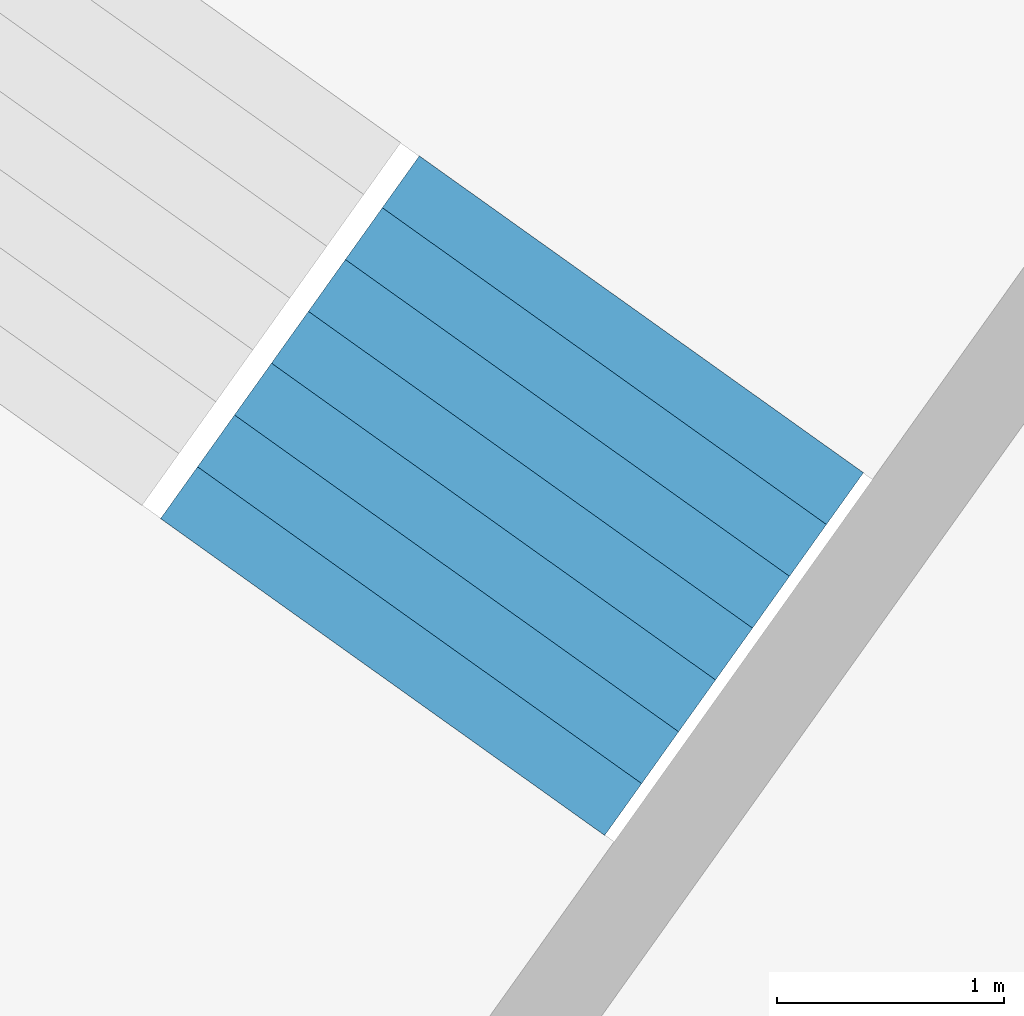
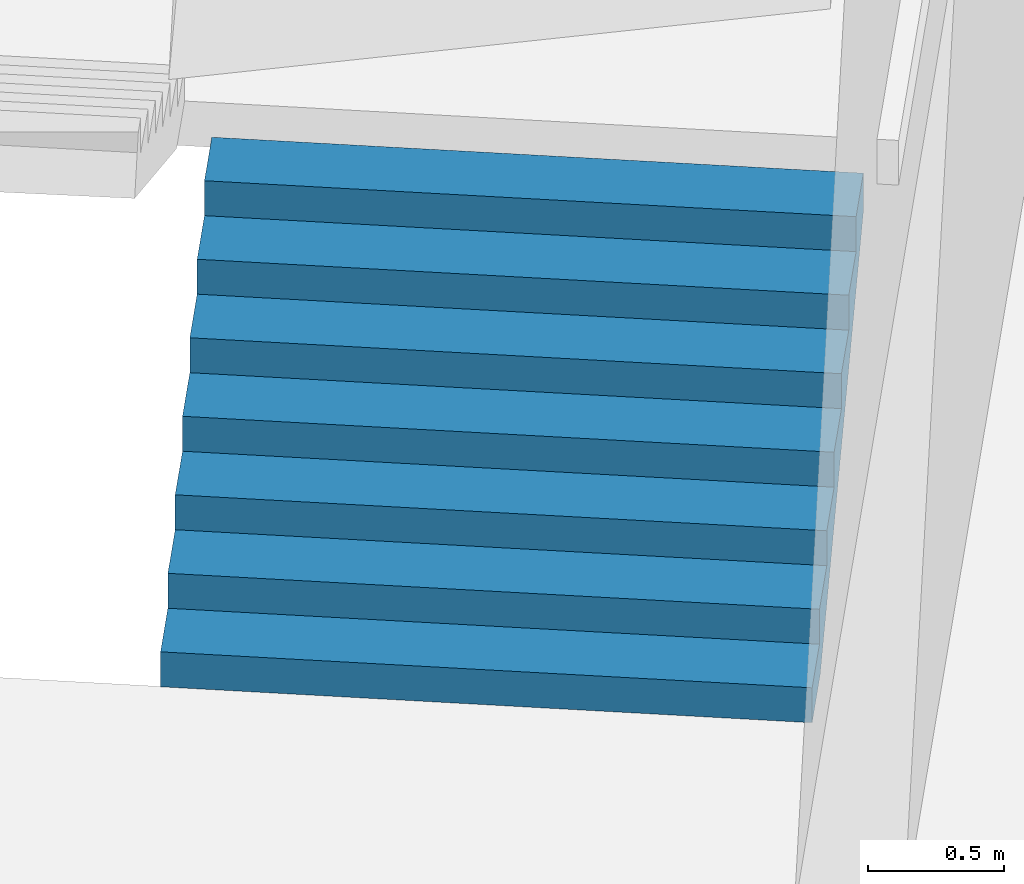
# One storey, part 71 of 73: 1 stair flight, 1 element without a shape of its own.
"""IFC4 building model written with IfcOpenShell, lengths in metres."""

from ifc_helpers import new_model, si_unit, direction, frame, origin, place, context, subcontext, project, spatial, triangles, material, type_object, element, aggregate, save


model = new_model("IFC4")

# Units and contexts
model_context = context("Model", 3, precision=1e-05, world=origin(), true_north=direction((0.0, 1.0)))
body_context = subcontext(model_context, "Body", "Model", "MODEL_VIEW")
ifc_project = project(units=[si_unit("LENGTHUNIT", "METRE"), si_unit("AREAUNIT", "SQUARE_METRE"), si_unit("VOLUMEUNIT", "CUBIC_METRE"), si_unit("PLANEANGLEUNIT", "RADIAN"), si_unit("MASSUNIT", "GRAM", prefix="KILO")], contexts=[model_context])

# Site, building, storey
site_placement = place(None, origin())
site = spatial("IfcSite", under=ifc_project, at=site_placement, CompositionType="ELEMENT")
building_placement = place(site_placement, origin())
building = spatial("IfcBuilding", under=site, at=building_placement, Name="Lantaw Convention Tower", CompositionType="ELEMENT")
storey_placement = place(building_placement, frame((0.0, 0.0, 22.0)))
storey = spatial("IfcBuildingStorey", under=building, at=storey_placement, Name="L03", CompositionType="ELEMENT", Elevation=22.0)

# Stair, stair flight
ifc_material = material(Name="Concrete C35/45", Category="concrete")
stair_type = type_object("IfcStairType", Name="Exit stair 2400 riser 156.25 in 4 flights", PredefinedType="HALF_TURN_STAIR", material=ifc_material)
stair_placement = place(storey_placement, origin())
stair = element("IfcStair", 1, at=stair_placement, inside=storey, type_object=stair_type, Name="Podium exit stair P4 L03", PredefinedType="HALF_TURN_STAIR")
stair_flight_type = type_object("IfcStairFlightType", Name="Stair flight 2400 riser 156.25", PredefinedType="STRAIGHT", material=ifc_material)
stair_flight_placement = place(storey_placement, frame((19.005615234375, 24.4921875, 0.0), z_axis=(0.0, 0.0, 1.0), x_axis=(0.580702955711, 0.814115518356, 0.0)))
stair_flight = element("IfcStairFlight", 2, at=stair_flight_placement, type_object=stair_flight_type, Name="P4 flight 1", NumberOfRisers=8, NumberOfTreads=7, PredefinedType="STRAIGHT", RiserHeight=0.15625, TreadLength=0.28, context=body_context, shape_type="Tessellation", body=[
    triangles([(0.0, 1.199951171875, 0.0), (0.0, 1.199951171875, 0.15625), (0.28, 1.199951171875, 0.0), (0.28, 1.199951171875, 0.15625), (0.28, 1.199951171875, 0.3125), (0.3076200632058044, 1.199951171875, 0.0), (0.3076200632058044, 1.199951171875, 0.3125), (0.56, 1.199951171875, 0.14083701830033238), (0.56, 1.199951171875, 0.3125), (0.56, 1.199951171875, 0.46875), (0.8400000000000001, 1.199951171875, 0.29708701830033235), (0.8400000000000001, 1.199951171875, 0.46875), (0.8400000000000001, 1.199951171875, 0.625), (1.12, 1.199951171875, 0.45333701830033235), (1.12, 1.199951171875, 0.625), (1.12, 1.199951171875, 0.78125), (1.4000000000000001, 1.199951171875, 0.6095870183003324), (1.4000000000000001, 1.199951171875, 0.78125), (1.4000000000000001, 1.199951171875, 0.9375), (1.6800000000000002, 1.199951171875, 0.7658370183003324), (1.6800000000000002, 1.199951171875, 0.9375), (1.6800000000000002, 1.199951171875, 1.09375), (1.9600000000000002, 1.199951171875, 0.9220870183003324), (1.9600000000000002, 1.199951171875, 1.09375), (0.0, -1.199951171875, 0.0), (0.0, -1.199951171875, 0.15625), (0.28, -1.199951171875, 0.0), (0.28, -1.199951171875, 0.15625), (0.28, -1.199951171875, 0.3125), (0.3076200632058044, -1.199951171875, 0.0), (0.3076200632058044, -1.199951171875, 0.3125), (0.56, -1.199951171875, 0.14083701830033238), (0.56, -1.199951171875, 0.3125), (0.56, -1.199951171875, 0.46875), (0.8400000000000001, -1.199951171875, 0.29708701830033235), (0.8400000000000001, -1.199951171875, 0.46875), (0.8400000000000001, -1.199951171875, 0.625), (1.12, -1.199951171875, 0.45333701830033235), (1.12, -1.199951171875, 0.625), (1.12, -1.199951171875, 0.78125), (1.4000000000000001, -1.199951171875, 0.6095870183003324), (1.4000000000000001, -1.199951171875, 0.78125), (1.4000000000000001, -1.199951171875, 0.9375), (1.6800000000000002, -1.199951171875, 0.7658370183003324), (1.6800000000000002, -1.199951171875, 0.9375), (1.6800000000000002, -1.199951171875, 1.09375), (1.9600000000000002, -1.199951171875, 0.9220870183003324), (1.9600000000000002, -1.199951171875, 1.09375), (0.0, 0.239990234375, 0.15625), (0.0, 0.239990234375, 0.0), (0.0, 0.1919921875, 0.15625), (0.0, 0.1919921875, 0.0), (0.0, 0.143994140625, 0.15625), (0.0, 0.143994140625, 0.0), (0.0, 0.09599609375, 0.15625), (0.0, 0.09599609375, 0.0), (0.0, 0.047998046875, 0.15625), (0.0, 0.047998046875, 0.0), (0.0, 0.0, 0.15625), (0.0, 0.0, 0.0), (0.0, -0.047998046875, 0.15625), (0.0, -0.047998046875, 0.0), (0.0, -0.09599609375, 0.15625), (0.0, -0.09599609375, 0.0), (0.0, -0.143994140625, 0.15625), (0.0, -0.143994140625, 0.0), (0.0, -0.1919921875, 0.15625), (0.0, -0.1919921875, 0.0), (0.0, -0.239990234375, 0.15625), (0.0, -0.239990234375, 0.0), (0.28, 0.239990234375, 0.3125), (0.28, 0.239990234375, 0.15625), (0.28, 0.1919921875, 0.3125), (0.28, 0.1919921875, 0.15625), (0.28, 0.143994140625, 0.3125), (0.28, 0.143994140625, 0.15625), (0.28, 0.09599609375, 0.3125), (0.28, 0.09599609375, 0.15625), (0.28, 0.047998046875, 0.3125), (0.28, 0.047998046875, 0.15625), (0.28, 0.0, 0.3125), (0.28, 0.0, 0.15625), (0.28, -0.047998046875, 0.3125), (0.28, -0.047998046875, 0.15625), (0.28, -0.09599609375, 0.3125), (0.28, -0.09599609375, 0.15625), (0.28, -0.143994140625, 0.3125), (0.28, -0.143994140625, 0.15625), (0.28, -0.1919921875, 0.3125), (0.28, -0.1919921875, 0.15625), (0.28, -0.239990234375, 0.3125), (0.28, -0.239990234375, 0.15625), (0.56, 0.239990234375, 0.46875), (0.56, 0.239990234375, 0.3125), (0.56, 0.1919921875, 0.46875), (0.56, 0.1919921875, 0.3125), (0.56, 0.143994140625, 0.46875), (0.56, 0.143994140625, 0.3125), (0.56, 0.09599609375, 0.46875), (0.56, 0.09599609375, 0.3125), (0.56, 0.047998046875, 0.46875), (0.56, 0.047998046875, 0.3125), (0.56, 0.0, 0.46875), (0.56, 0.0, 0.3125), (0.56, -0.047998046875, 0.46875), (0.56, -0.047998046875, 0.3125), (0.56, -0.09599609375, 0.46875), (0.56, -0.09599609375, 0.3125), (0.56, -0.143994140625, 0.46875), (0.56, -0.143994140625, 0.3125), (0.56, -0.1919921875, 0.46875), (0.56, -0.1919921875, 0.3125), (0.56, -0.239990234375, 0.46875), (0.56, -0.239990234375, 0.3125), (0.8400000000000001, 0.239990234375, 0.625), (0.8400000000000001, 0.239990234375, 0.46875), (0.8400000000000001, 0.1919921875, 0.625), (0.8400000000000001, 0.1919921875, 0.46875), (0.8400000000000001, 0.143994140625, 0.625), (0.8400000000000001, 0.143994140625, 0.46875), (0.8400000000000001, 0.09599609375, 0.625), (0.8400000000000001, 0.09599609375, 0.46875), (0.8400000000000001, 0.047998046875, 0.625), (0.8400000000000001, 0.047998046875, 0.46875), (0.8400000000000001, 0.0, 0.625), (0.8400000000000001, 0.0, 0.46875), (0.8400000000000001, -0.047998046875, 0.625), (0.8400000000000001, -0.047998046875, 0.46875), (0.8400000000000001, -0.09599609375, 0.625), (0.8400000000000001, -0.09599609375, 0.46875), (0.8400000000000001, -0.143994140625, 0.625), (0.8400000000000001, -0.143994140625, 0.46875), (0.8400000000000001, -0.1919921875, 0.625), (0.8400000000000001, -0.1919921875, 0.46875), (0.8400000000000001, -0.239990234375, 0.625), (0.8400000000000001, -0.239990234375, 0.46875), (1.12, 0.239990234375, 0.78125), (1.12, 0.239990234375, 0.625), (1.12, 0.1919921875, 0.78125), (1.12, 0.1919921875, 0.625), (1.12, 0.143994140625, 0.78125), (1.12, 0.143994140625, 0.625), (1.12, 0.09599609375, 0.78125), (1.12, 0.09599609375, 0.625), (1.12, 0.047998046875, 0.78125), (1.12, 0.047998046875, 0.625), (1.12, 0.0, 0.78125), (1.12, 0.0, 0.625), (1.12, -0.047998046875, 0.78125), (1.12, -0.047998046875, 0.625), (1.12, -0.09599609375, 0.78125), (1.12, -0.09599609375, 0.625), (1.12, -0.143994140625, 0.78125), (1.12, -0.143994140625, 0.625), (1.12, -0.1919921875, 0.78125), (1.12, -0.1919921875, 0.625), (1.12, -0.239990234375, 0.78125), (1.12, -0.239990234375, 0.625), (1.4000000000000001, 0.239990234375, 0.9375), (1.4000000000000001, 0.239990234375, 0.78125), (1.4000000000000001, 0.1919921875, 0.9375), (1.4000000000000001, 0.1919921875, 0.78125), (1.4000000000000001, 0.143994140625, 0.9375), (1.4000000000000001, 0.143994140625, 0.78125), (1.4000000000000001, 0.09599609375, 0.9375), (1.4000000000000001, 0.09599609375, 0.78125), (1.4000000000000001, 0.047998046875, 0.9375), (1.4000000000000001, 0.047998046875, 0.78125), (1.4000000000000001, 0.0, 0.9375), (1.4000000000000001, 0.0, 0.78125), (1.4000000000000001, -0.047998046875, 0.9375), (1.4000000000000001, -0.047998046875, 0.78125), (1.4000000000000001, -0.09599609375, 0.9375), (1.4000000000000001, -0.09599609375, 0.78125), (1.4000000000000001, -0.143994140625, 0.9375), (1.4000000000000001, -0.143994140625, 0.78125), (1.4000000000000001, -0.1919921875, 0.9375), (1.4000000000000001, -0.1919921875, 0.78125), (1.4000000000000001, -0.239990234375, 0.9375), (1.4000000000000001, -0.239990234375, 0.78125), (1.6800000000000002, 0.239990234375, 1.09375), (1.6800000000000002, 0.239990234375, 0.9375), (1.6800000000000002, 0.1919921875, 1.09375), (1.6800000000000002, 0.1919921875, 0.9375), (1.6800000000000002, 0.143994140625, 1.09375), (1.6800000000000002, 0.143994140625, 0.9375), (1.6800000000000002, 0.09599609375, 1.09375), (1.6800000000000002, 0.09599609375, 0.9375), (1.6800000000000002, 0.047998046875, 1.09375), (1.6800000000000002, 0.047998046875, 0.9375), (1.6800000000000002, 0.0, 1.09375), (1.6800000000000002, 0.0, 0.9375), (1.6800000000000002, -0.047998046875, 1.09375), (1.6800000000000002, -0.047998046875, 0.9375), (1.6800000000000002, -0.09599609375, 1.09375), (1.6800000000000002, -0.09599609375, 0.9375), (1.6800000000000002, -0.143994140625, 1.09375), (1.6800000000000002, -0.143994140625, 0.9375), (1.6800000000000002, -0.1919921875, 1.09375), (1.6800000000000002, -0.1919921875, 0.9375), (1.6800000000000002, -0.239990234375, 1.09375), (1.6800000000000002, -0.239990234375, 0.9375), (0.3076200632058044, 0.239990234375, 0.3125), (0.3076200632058044, 0.1919921875, 0.3125), (0.3076200632058044, 0.143994140625, 0.3125), (0.3076200632058044, 0.09599609375, 0.3125), (0.3076200632058044, 0.047998046875, 0.3125), (0.3076200632058044, 0.0, 0.3125), (0.3076200632058044, -0.047998046875, 0.3125), (0.3076200632058044, -0.09599609375, 0.3125), (0.3076200632058044, -0.143994140625, 0.3125), (0.3076200632058044, -0.1919921875, 0.3125), (0.3076200632058044, -0.239990234375, 0.3125), (1.9600000000000002, 0.239990234375, 1.09375), (1.9600000000000002, 0.1919921875, 1.09375), (1.9600000000000002, 0.143994140625, 1.09375), (1.9600000000000002, 0.09599609375, 1.09375), (1.9600000000000002, 0.047998046875, 1.09375), (1.9600000000000002, 0.0, 1.09375), (1.9600000000000002, -0.047998046875, 1.09375), (1.9600000000000002, -0.09599609375, 1.09375), (1.9600000000000002, -0.143994140625, 1.09375), (1.9600000000000002, -0.1919921875, 1.09375), (1.9600000000000002, -0.239990234375, 1.09375), (1.9600000000000002, 0.239990234375, 0.9220870183003324), (1.9600000000000002, 0.1919921875, 0.9220870183003324), (1.9600000000000002, 0.143994140625, 0.9220870183003324), (1.9600000000000002, 0.09599609375, 0.9220870183003324), (1.9600000000000002, 0.047998046875, 0.9220870183003324), (1.9600000000000002, 0.0, 0.9220870183003324), (1.9600000000000002, -0.047998046875, 0.9220870183003324), (1.9600000000000002, -0.09599609375, 0.9220870183003324), (1.9600000000000002, -0.143994140625, 0.9220870183003324), (1.9600000000000002, -0.1919921875, 0.9220870183003324), (1.9600000000000002, -0.239990234375, 0.9220870183003324), (1.6800000000000002, 0.239990234375, 0.7658370183003324), (1.6800000000000002, 0.1919921875, 0.7658370183003324), (1.6800000000000002, 0.143994140625, 0.7658370183003324), (1.6800000000000002, 0.09599609375, 0.7658370183003324), (1.6800000000000002, 0.047998046875, 0.7658370183003324), (1.6800000000000002, 0.0, 0.7658370183003324), (1.6800000000000002, -0.047998046875, 0.7658370183003324), (1.6800000000000002, -0.09599609375, 0.7658370183003324), (1.6800000000000002, -0.143994140625, 0.7658370183003324), (1.6800000000000002, -0.1919921875, 0.7658370183003324), (1.6800000000000002, -0.239990234375, 0.7658370183003324), (1.4000000000000001, 0.239990234375, 0.6095870183003324), (1.4000000000000001, 0.1919921875, 0.6095870183003324), (1.4000000000000001, 0.143994140625, 0.6095870183003324), (1.4000000000000001, 0.09599609375, 0.6095870183003324), (1.4000000000000001, 0.047998046875, 0.6095870183003324), (1.4000000000000001, 0.0, 0.6095870183003324), (1.4000000000000001, -0.047998046875, 0.6095870183003324), (1.4000000000000001, -0.09599609375, 0.6095870183003324), (1.4000000000000001, -0.143994140625, 0.6095870183003324), (1.4000000000000001, -0.1919921875, 0.6095870183003324), (1.4000000000000001, -0.239990234375, 0.6095870183003324), (1.12, 0.239990234375, 0.45333701830033235), (1.12, 0.1919921875, 0.45333701830033235), (1.12, 0.143994140625, 0.45333701830033235), (1.12, 0.09599609375, 0.45333701830033235), (1.12, 0.047998046875, 0.45333701830033235), (1.12, 0.0, 0.45333701830033235), (1.12, -0.047998046875, 0.45333701830033235), (1.12, -0.09599609375, 0.45333701830033235), (1.12, -0.143994140625, 0.45333701830033235), (1.12, -0.1919921875, 0.45333701830033235), (1.12, -0.239990234375, 0.45333701830033235), (0.8400000000000001, 0.239990234375, 0.29708701830033235), (0.8400000000000001, 0.1919921875, 0.29708701830033235), (0.8400000000000001, 0.143994140625, 0.29708701830033235), (0.8400000000000001, 0.09599609375, 0.29708701830033235), (0.8400000000000001, 0.047998046875, 0.29708701830033235), (0.8400000000000001, 0.0, 0.29708701830033235), (0.8400000000000001, -0.047998046875, 0.29708701830033235), (0.8400000000000001, -0.09599609375, 0.29708701830033235), (0.8400000000000001, -0.143994140625, 0.29708701830033235), (0.8400000000000001, -0.1919921875, 0.29708701830033235), (0.8400000000000001, -0.239990234375, 0.29708701830033235), (0.56, 0.239990234375, 0.14083701830033238), (0.56, 0.1919921875, 0.14083701830033238), (0.56, 0.143994140625, 0.14083701830033238), (0.56, 0.09599609375, 0.14083701830033238), (0.56, 0.047998046875, 0.14083701830033238), (0.56, 0.0, 0.14083701830033238), (0.56, -0.047998046875, 0.14083701830033238), (0.56, -0.09599609375, 0.14083701830033238), (0.56, -0.143994140625, 0.14083701830033238), (0.56, -0.1919921875, 0.14083701830033238), (0.56, -0.239990234375, 0.14083701830033238), (0.3076200632058044, 0.239990234375, 0.0), (0.3076200632058044, 0.1919921875, 0.0), (0.3076200632058044, 0.143994140625, 0.0), (0.3076200632058044, 0.09599609375, 0.0), (0.3076200632058044, 0.047998046875, 0.0), (0.3076200632058044, 0.0, 0.0), (0.3076200632058044, -0.047998046875, 0.0), (0.3076200632058044, -0.09599609375, 0.0), (0.3076200632058044, -0.143994140625, 0.0), (0.3076200632058044, -0.1919921875, 0.0), (0.3076200632058044, -0.239990234375, 0.0), (0.28, 0.239990234375, 0.0), (0.28, 0.1919921875, 0.0), (0.28, 0.143994140625, 0.0), (0.28, 0.09599609375, 0.0), (0.28, 0.047998046875, 0.0), (0.28, 0.0, 0.0), (0.28, -0.047998046875, 0.0), (0.28, -0.09599609375, 0.0), (0.28, -0.143994140625, 0.0), (0.28, -0.1919921875, 0.0), (0.28, -0.239990234375, 0.0)], [[1, 4, 3], [1, 2, 4], [3, 4, 6], [4, 7, 6], [4, 5, 7], [6, 9, 8], [6, 7, 9], [8, 9, 11], [9, 12, 11], [9, 10, 12], [11, 12, 14], [12, 15, 14], [12, 13, 15], [14, 15, 17], [15, 18, 17], [15, 16, 18], [17, 18, 20], [18, 21, 20], [18, 19, 21], [20, 21, 23], [21, 24, 23], [21, 22, 24], [25, 27, 28], [25, 28, 26], [27, 30, 28], [28, 30, 31], [28, 31, 29], [30, 32, 33], [30, 33, 31], [32, 35, 33], [33, 35, 36], [33, 36, 34], [35, 38, 36], [36, 38, 39], [36, 39, 37], [38, 41, 39], [39, 41, 42], [39, 42, 40], [41, 44, 42], [42, 44, 45], [42, 45, 43], [44, 47, 45], [45, 47, 48], [45, 48, 46], [1, 49, 2], [1, 50, 49], [50, 51, 49], [50, 52, 51], [52, 53, 51], [52, 54, 53], [54, 55, 53], [54, 56, 55], [56, 57, 55], [56, 58, 57], [58, 59, 57], [58, 60, 59], [60, 61, 59], [60, 62, 61], [62, 63, 61], [62, 64, 63], [64, 65, 63], [64, 66, 65], [66, 67, 65], [66, 68, 67], [68, 69, 67], [68, 70, 69], [70, 26, 69], [70, 25, 26], [4, 71, 5], [4, 72, 71], [72, 73, 71], [72, 74, 73], [74, 75, 73], [74, 76, 75], [76, 77, 75], [76, 78, 77], [78, 79, 77], [78, 80, 79], [80, 81, 79], [80, 82, 81], [82, 83, 81], [82, 84, 83], [84, 85, 83], [84, 86, 85], [86, 87, 85], [86, 88, 87], [88, 89, 87], [88, 90, 89], [90, 91, 89], [90, 92, 91], [92, 29, 91], [92, 28, 29], [9, 93, 10], [9, 94, 93], [94, 95, 93], [94, 96, 95], [96, 97, 95], [96, 98, 97], [98, 99, 97], [98, 100, 99], [100, 101, 99], [100, 102, 101], [102, 103, 101], [102, 104, 103], [104, 105, 103], [104, 106, 105], [106, 107, 105], [106, 108, 107], [108, 109, 107], [108, 110, 109], [110, 111, 109], [110, 112, 111], [112, 113, 111], [112, 114, 113], [114, 34, 113], [114, 33, 34], [12, 115, 13], [12, 116, 115], [116, 117, 115], [116, 118, 117], [118, 119, 117], [118, 120, 119], [120, 121, 119], [120, 122, 121], [122, 123, 121], [122, 124, 123], [124, 125, 123], [124, 126, 125], [126, 127, 125], [126, 128, 127], [128, 129, 127], [128, 130, 129], [130, 131, 129], [130, 132, 131], [132, 133, 131], [132, 134, 133], [134, 135, 133], [134, 136, 135], [136, 37, 135], [136, 36, 37], [15, 137, 16], [15, 138, 137], [138, 139, 137], [138, 140, 139], [140, 141, 139], [140, 142, 141], [142, 143, 141], [142, 144, 143], [144, 145, 143], [144, 146, 145], [146, 147, 145], [146, 148, 147], [148, 149, 147], [148, 150, 149], [150, 151, 149], [150, 152, 151], [152, 153, 151], [152, 154, 153], [154, 155, 153], [154, 156, 155], [156, 157, 155], [156, 158, 157], [158, 40, 157], [158, 39, 40], [18, 159, 19], [18, 160, 159], [160, 161, 159], [160, 162, 161], [162, 163, 161], [162, 164, 163], [164, 165, 163], [164, 166, 165], [166, 167, 165], [166, 168, 167], [168, 169, 167], [168, 170, 169], [170, 171, 169], [170, 172, 171], [172, 173, 171], [172, 174, 173], [174, 175, 173], [174, 176, 175], [176, 177, 175], [176, 178, 177], [178, 179, 177], [178, 180, 179], [180, 43, 179], [180, 42, 43], [21, 181, 22], [21, 182, 181], [182, 183, 181], [182, 184, 183], [184, 185, 183], [184, 186, 185], [186, 187, 185], [186, 188, 187], [188, 189, 187], [188, 190, 189], [190, 191, 189], [190, 192, 191], [192, 193, 191], [192, 194, 193], [194, 195, 193], [194, 196, 195], [196, 197, 195], [196, 198, 197], [198, 199, 197], [198, 200, 199], [200, 201, 199], [200, 202, 201], [202, 46, 201], [202, 45, 46], [2, 72, 4], [2, 49, 72], [49, 74, 72], [49, 51, 74], [51, 76, 74], [51, 53, 76], [53, 78, 76], [53, 55, 78], [55, 80, 78], [55, 57, 80], [57, 82, 80], [57, 59, 82], [59, 84, 82], [59, 61, 84], [61, 86, 84], [61, 63, 86], [63, 88, 86], [63, 65, 88], [65, 90, 88], [65, 67, 90], [67, 92, 90], [67, 69, 92], [69, 28, 92], [69, 26, 28], [5, 203, 7], [5, 71, 203], [71, 204, 203], [71, 73, 204], [73, 205, 204], [73, 75, 205], [75, 206, 205], [75, 77, 206], [77, 207, 206], [77, 79, 207], [79, 208, 207], [79, 81, 208], [81, 209, 208], [81, 83, 209], [83, 210, 209], [83, 85, 210], [85, 211, 210], [85, 87, 211], [87, 212, 211], [87, 89, 212], [89, 213, 212], [89, 91, 213], [91, 31, 213], [91, 29, 31], [7, 94, 9], [7, 203, 94], [203, 96, 94], [203, 204, 96], [204, 98, 96], [204, 205, 98], [205, 100, 98], [205, 206, 100], [206, 102, 100], [206, 207, 102], [207, 104, 102], [207, 208, 104], [208, 106, 104], [208, 209, 106], [209, 108, 106], [209, 210, 108], [210, 110, 108], [210, 211, 110], [211, 112, 110], [211, 212, 112], [212, 114, 112], [212, 213, 114], [213, 33, 114], [213, 31, 33], [10, 116, 12], [10, 93, 116], [93, 118, 116], [93, 95, 118], [95, 120, 118], [95, 97, 120], [97, 122, 120], [97, 99, 122], [99, 124, 122], [99, 101, 124], [101, 126, 124], [101, 103, 126], [103, 128, 126], [103, 105, 128], [105, 130, 128], [105, 107, 130], [107, 132, 130], [107, 109, 132], [109, 134, 132], [109, 111, 134], [111, 136, 134], [111, 113, 136], [113, 36, 136], [113, 34, 36], [13, 138, 15], [13, 115, 138], [115, 140, 138], [115, 117, 140], [117, 142, 140], [117, 119, 142], [119, 144, 142], [119, 121, 144], [121, 146, 144], [121, 123, 146], [123, 148, 146], [123, 125, 148], [125, 150, 148], [125, 127, 150], [127, 152, 150], [127, 129, 152], [129, 154, 152], [129, 131, 154], [131, 156, 154], [131, 133, 156], [133, 158, 156], [133, 135, 158], [135, 39, 158], [135, 37, 39], [16, 160, 18], [16, 137, 160], [137, 162, 160], [137, 139, 162], [139, 164, 162], [139, 141, 164], [141, 166, 164], [141, 143, 166], [143, 168, 166], [143, 145, 168], [145, 170, 168], [145, 147, 170], [147, 172, 170], [147, 149, 172], [149, 174, 172], [149, 151, 174], [151, 176, 174], [151, 153, 176], [153, 178, 176], [153, 155, 178], [155, 180, 178], [155, 157, 180], [157, 42, 180], [157, 40, 42], [19, 182, 21], [19, 159, 182], [159, 184, 182], [159, 161, 184], [161, 186, 184], [161, 163, 186], [163, 188, 186], [163, 165, 188], [165, 190, 188], [165, 167, 190], [167, 192, 190], [167, 169, 192], [169, 194, 192], [169, 171, 194], [171, 196, 194], [171, 173, 196], [173, 198, 196], [173, 175, 198], [175, 200, 198], [175, 177, 200], [177, 202, 200], [177, 179, 202], [179, 45, 202], [179, 43, 45], [22, 214, 24], [22, 181, 214], [181, 215, 214], [181, 183, 215], [183, 216, 215], [183, 185, 216], [185, 217, 216], [185, 187, 217], [187, 218, 217], [187, 189, 218], [189, 219, 218], [189, 191, 219], [191, 220, 219], [191, 193, 220], [193, 221, 220], [193, 195, 221], [195, 222, 221], [195, 197, 222], [197, 223, 222], [197, 199, 223], [199, 224, 223], [199, 201, 224], [201, 48, 224], [201, 46, 48], [24, 225, 23], [24, 214, 225], [214, 226, 225], [214, 215, 226], [215, 227, 226], [215, 216, 227], [216, 228, 227], [216, 217, 228], [217, 229, 228], [217, 218, 229], [218, 230, 229], [218, 219, 230], [219, 231, 230], [219, 220, 231], [220, 232, 231], [220, 221, 232], [221, 233, 232], [221, 222, 233], [222, 234, 233], [222, 223, 234], [223, 235, 234], [223, 224, 235], [224, 47, 235], [224, 48, 47], [23, 236, 20], [23, 225, 236], [225, 237, 236], [225, 226, 237], [226, 238, 237], [226, 227, 238], [227, 239, 238], [227, 228, 239], [228, 240, 239], [228, 229, 240], [229, 241, 240], [229, 230, 241], [230, 242, 241], [230, 231, 242], [231, 243, 242], [231, 232, 243], [232, 244, 243], [232, 233, 244], [233, 245, 244], [233, 234, 245], [234, 246, 245], [234, 235, 246], [235, 44, 246], [235, 47, 44], [20, 247, 17], [20, 236, 247], [236, 248, 247], [236, 237, 248], [237, 249, 248], [237, 238, 249], [238, 250, 249], [238, 239, 250], [239, 251, 250], [239, 240, 251], [240, 252, 251], [240, 241, 252], [241, 253, 252], [241, 242, 253], [242, 254, 253], [242, 243, 254], [243, 255, 254], [243, 244, 255], [244, 256, 255], [244, 245, 256], [245, 257, 256], [245, 246, 257], [246, 41, 257], [246, 44, 41], [17, 258, 14], [17, 247, 258], [247, 259, 258], [247, 248, 259], [248, 260, 259], [248, 249, 260], [249, 261, 260], [249, 250, 261], [250, 262, 261], [250, 251, 262], [251, 263, 262], [251, 252, 263], [252, 264, 263], [252, 253, 264], [253, 265, 264], [253, 254, 265], [254, 266, 265], [254, 255, 266], [255, 267, 266], [255, 256, 267], [256, 268, 267], [256, 257, 268], [257, 38, 268], [257, 41, 38], [14, 269, 11], [14, 258, 269], [258, 270, 269], [258, 259, 270], [259, 271, 270], [259, 260, 271], [260, 272, 271], [260, 261, 272], [261, 273, 272], [261, 262, 273], [262, 274, 273], [262, 263, 274], [263, 275, 274], [263, 264, 275], [264, 276, 275], [264, 265, 276], [265, 277, 276], [265, 266, 277], [266, 278, 277], [266, 267, 278], [267, 279, 278], [267, 268, 279], [268, 35, 279], [268, 38, 35], [11, 280, 8], [11, 269, 280], [269, 281, 280], [269, 270, 281], [270, 282, 281], [270, 271, 282], [271, 283, 282], [271, 272, 283], [272, 284, 283], [272, 273, 284], [273, 285, 284], [273, 274, 285], [274, 286, 285], [274, 275, 286], [275, 287, 286], [275, 276, 287], [276, 288, 287], [276, 277, 288], [277, 289, 288], [277, 278, 289], [278, 290, 289], [278, 279, 290], [279, 32, 290], [279, 35, 32], [8, 291, 6], [8, 280, 291], [280, 292, 291], [280, 281, 292], [281, 293, 292], [281, 282, 293], [282, 294, 293], [282, 283, 294], [283, 295, 294], [283, 284, 295], [284, 296, 295], [284, 285, 296], [285, 297, 296], [285, 286, 297], [286, 298, 297], [286, 287, 298], [287, 299, 298], [287, 288, 299], [288, 300, 299], [288, 289, 300], [289, 301, 300], [289, 290, 301], [290, 30, 301], [290, 32, 30], [6, 302, 3], [6, 291, 302], [291, 303, 302], [291, 292, 303], [292, 304, 303], [292, 293, 304], [293, 305, 304], [293, 294, 305], [294, 306, 305], [294, 295, 306], [295, 307, 306], [295, 296, 307], [296, 308, 307], [296, 297, 308], [297, 309, 308], [297, 298, 309], [298, 310, 309], [298, 299, 310], [299, 311, 310], [299, 300, 311], [300, 312, 311], [300, 301, 312], [301, 27, 312], [301, 30, 27], [3, 50, 1], [3, 302, 50], [302, 52, 50], [302, 303, 52], [303, 54, 52], [303, 304, 54], [304, 56, 54], [304, 305, 56], [305, 58, 56], [305, 306, 58], [306, 60, 58], [306, 307, 60], [307, 62, 60], [307, 308, 62], [308, 64, 62], [308, 309, 64], [309, 66, 64], [309, 310, 66], [310, 68, 66], [310, 311, 68], [311, 70, 68], [311, 312, 70], [312, 25, 70], [312, 27, 25]], closed=True),
])
aggregate(stair, [stair_flight])

save(model, "model.ifc")
